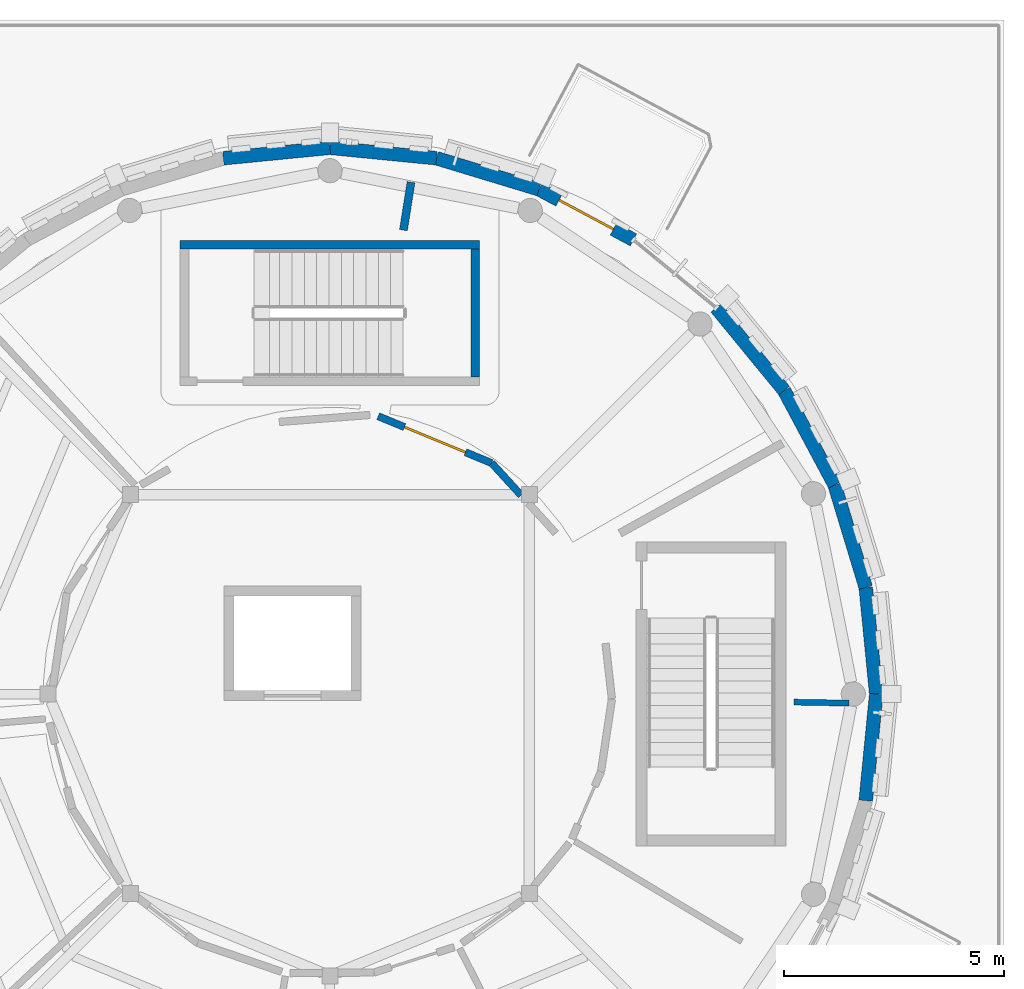
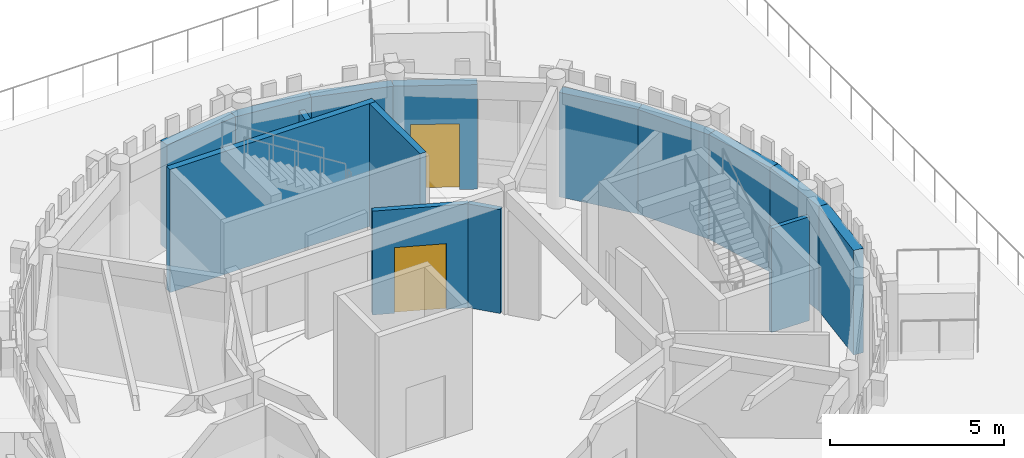
# One storey, part 56 of 94: 15 walls, 2 doors, 2 openings.
"""IFC4 building model written with IfcOpenShell, lengths in metres."""

import ifcopenshell
import ifcopenshell.guid

model = None  # the IFC model being written
_history = None  # IfcOwnerHistory: only IFC2X3 demands one
_inside = {}  # id of a spatial element -> (the spatial element, [elements in it])
_under = {}  # id of a project, library or spatial element -> (it, [spatial elements below it])
_declared = {}  # id of a project -> (the project, [libraries it declares])
_typed = {}  # id of a type object -> (the type object, [elements of that type])
_made_of = {}  # id of a material, layer set ... -> (it, [elements and type objects made of it])


def new_model(schema):
    """Start an empty IFC model of exactly this schema.

    Asked for "IFC4X3", IfcOpenShell would pick the latest addendum, in which some entities
    have other attributes; the version numbers below select the first issue.
    IFC2X3 requires an IfcOwnerHistory on every rooted entity: one is made here for all.
    """
    global model, _history
    if schema == "IFC4X3":
        model = ifcopenshell.file(schema_version=(4, 3, 0, 0))
    else:
        model = ifcopenshell.file(schema=schema)
    _inside.clear()
    _under.clear()
    _declared.clear()
    _typed.clear()
    _made_of.clear()
    _history = None
    if model.schema == "IFC2X3":
        org = make("IfcOrganization", Name="unknown")
        user = make(
            "IfcPersonAndOrganization",
            ThePerson=make("IfcPerson", FamilyName="unknown"),
            TheOrganization=org,
        )
        app = make(
            "IfcApplication",
            ApplicationDeveloper=org,
            Version="unknown",
            ApplicationFullName="unknown",
            ApplicationIdentifier="unknown",
        )
        _history = make(
            "IfcOwnerHistory",
            OwningUser=user,
            OwningApplication=app,
            ChangeAction="ADDED",
            CreationDate=0,
        )
    return model


def make(cls, **values):
    """One entity of the class cls with the attributes given. An attribute that is None is left unset."""
    return model.create_entity(
        cls, **{name: value for name, value in values.items() if value is not None}
    )


def rooted(cls, **values):
    """An entity with a GlobalId (a new one), such as an element, a storey or a relation."""
    return make(cls, GlobalId=ifcopenshell.guid.new(), OwnerHistory=_history, **values)


def si_unit(unit_type, name, prefix=None):
    """IfcSIUnit, for example si_unit("LENGTHUNIT", "METRE", prefix="MILLI")."""
    return make("IfcSIUnit", UnitType=unit_type, Prefix=prefix, Name=name)


def assignment(units):
    """IfcUnitAssignment: the units of a project."""
    return None if units is None else make("IfcUnitAssignment", Units=units)


def point(xyz):
    """IfcCartesianPoint."""
    return None if xyz is None else make("IfcCartesianPoint", Coordinates=xyz)


def direction(xyz):
    """IfcDirection."""
    return None if xyz is None else make("IfcDirection", DirectionRatios=xyz)


def frame(location, z_axis=None, x_axis=None):
    """IfcAxis2Placement3D, a coordinate frame: its origin and axes. An axis left out is left unset."""
    return make(
        "IfcAxis2Placement3D",
        Location=point(location),
        Axis=direction(z_axis),
        RefDirection=direction(x_axis),
    )


def frame_2d(location, x_axis=None):
    """IfcAxis2Placement2D, a coordinate frame in the plane: its origin and x axis."""
    return make(
        "IfcAxis2Placement2D", Location=point(location), RefDirection=direction(x_axis)
    )


def origin():
    """The frame at (0, 0, 0) with its axes left unset."""
    return frame((0.0, 0.0, 0.0))


def place(relative_to, where):
    """IfcLocalPlacement: puts the frame where relative to a parent placement (None: the world)."""
    return make(
        "IfcLocalPlacement", PlacementRelTo=relative_to, RelativePlacement=where
    )


def context(
    kind, dimensions, precision=None, world=None, true_north=None, identifier=None
):
    """IfcGeometricRepresentationContext, for example the 3D "Model" context."""
    return make(
        "IfcGeometricRepresentationContext",
        ContextIdentifier=identifier,
        ContextType=kind,
        CoordinateSpaceDimension=dimensions,
        Precision=precision,
        WorldCoordinateSystem=world,
        TrueNorth=true_north,
    )


def subcontext(parent, identifier, kind, view, scale=None):
    """IfcGeometricRepresentationSubContext, for example "Body" below "Model"."""
    return make(
        "IfcGeometricRepresentationSubContext",
        ContextIdentifier=identifier,
        ContextType=kind,
        ParentContext=parent,
        TargetScale=scale,
        TargetView=view,
    )


def project(units=None, contexts=None):
    """IfcProject with its units and contexts."""
    return rooted(
        "IfcProject",
        Name="project",
        RepresentationContexts=contexts,
        UnitsInContext=assignment(units),
    )


def spatial(cls, under=None, at=None, **own):
    """A site, building, storey or space (cls), placed at a placement, below another one or the project."""
    s = rooted(cls, ObjectPlacement=at, **own)
    if under is not None:
        _under.setdefault(under.id(), (under, []))[1].append(s)
    return s


def profile(cls, at=None, kind="AREA", **sizes):
    """A parametric profile (cls). Its sizes go by their IFC names, for example OverallWidth=200.0."""
    return make(cls, ProfileType=kind, Position=at, **sizes)


def rectangle(**sizes):
    """IfcRectangleProfileDef."""
    return profile("IfcRectangleProfileDef", **sizes)


def extrude(swept, where, along, depth):
    """IfcExtrudedAreaSolid: the profile swept, set in the frame where, extruded along a direction by depth."""
    return make(
        "IfcExtrudedAreaSolid",
        SweptArea=swept,
        Position=where,
        ExtrudedDirection=direction(along),
        Depth=depth,
    )


def shape(context_of_items, identifier, shape_type, items):
    """IfcShapeRepresentation: the items that make up one representation, for example the "Body"."""
    return make(
        "IfcShapeRepresentation",
        ContextOfItems=context_of_items,
        RepresentationIdentifier=identifier,
        RepresentationType=shape_type,
        Items=items,
    )


def material(Name=None, Category=None):
    """IfcMaterial."""
    return make("IfcMaterial", Name=Name, Category=Category)


def layer(
    of_material, thickness, ventilated=None, Name=None, Category=None, Priority=None
):
    """IfcMaterialLayer: one layer of a wall or slab, of a material (None: an air gap)."""
    return make(
        "IfcMaterialLayer",
        Material=of_material,
        LayerThickness=thickness,
        IsVentilated=ventilated,
        Name=Name,
        Category=Category,
        Priority=Priority,
    )


def layer_set(layers, Name=None):
    """IfcMaterialLayerSet."""
    return make("IfcMaterialLayerSet", MaterialLayers=layers, LayerSetName=Name)


def made_of(thing, what):
    """Note that an element or type object is made of a material, layer set ...; save() writes the relation."""
    if what is not None:
        _made_of.setdefault(what.id(), (what, []))[1].append(thing)
    return thing


def type_object(cls, material=None, **own):
    """A type object (cls), such as IfcWallType, which elements share."""
    return made_of(rooted(cls, **own), material)


def element(
    cls,
    number,
    at=None,
    inside=None,
    cuts=None,
    type_object=None,
    material=None,
    context=None,
    identifier="Body",
    shape_type=None,
    held_by="IfcProductDefinitionShape",
    body=None,
    shapes=None,
    **own,
):
    """One element of the class cls, such as IfcWall. Its Tag is "e" and its number.

    at: its placement. inside: the storey or other place that contains it. cuts: it is an
    opening in that element (IfcRelVoidsElement). A single representation is given by context,
    identifier, shape_type and body (its items); several are given by shapes. held_by: the class
    of the entity that holds the representations. save() writes the other relations.
    """
    e = rooted(cls, Tag="e%d" % number, ObjectPlacement=at, **own)
    if body is not None:
        shapes = [shape(context, identifier, shape_type, body)]
    if shapes is not None:
        e.Representation = make(held_by, Representations=shapes)
    if inside is not None:
        _inside.setdefault(inside.id(), (inside, []))[1].append(e)
    if cuts is not None:
        rooted(
            "IfcRelVoidsElement", RelatingBuildingElement=cuts, RelatedOpeningElement=e
        )
    if type_object is not None:
        _typed.setdefault(type_object.id(), (type_object, []))[1].append(e)
    return made_of(e, material)


def fill(opening, filler):
    """IfcRelFillsElement: the door or window that sits in an opening."""
    return rooted(
        "IfcRelFillsElement",
        RelatingOpeningElement=opening,
        RelatedBuildingElement=filler,
    )


def aggregate(whole, parts):
    """IfcRelAggregates: a whole, such as a stair, and the parts it consists of."""
    return rooted("IfcRelAggregates", RelatingObject=whole, RelatedObjects=parts)


def save(model, path):
    """Write the relations noted so far, then the file.

    IfcRelAggregates (storeys below a building ...), IfcRelContainedInSpatialStructure (elements
    in a storey), IfcRelDefinesByType, IfcRelAssociatesMaterial and IfcRelDeclares: one each for
    every whole, place, type object, material and project.
    """
    for whole, parts in _under.values():
        aggregate(whole, parts)
    for where, things in _inside.values():
        rooted(
            "IfcRelContainedInSpatialStructure",
            RelatedElements=things,
            RelatingStructure=where,
        )
    for kind, things in _typed.values():
        rooted("IfcRelDefinesByType", RelatedObjects=things, RelatingType=kind)
    for what, things in _made_of.values():
        rooted("IfcRelAssociatesMaterial", RelatedObjects=things, RelatingMaterial=what)
    for by, libraries in _declared.values():
        rooted("IfcRelDeclares", RelatingContext=by, RelatedDefinitions=libraries)
    model.write(path)


model = new_model("IFC4")

# Units and contexts
model_context = context("Model", 3, precision=1e-05, world=origin(), true_north=direction((0.0, 1.0)))
body_context = subcontext(model_context, "Body", "Model", "MODEL_VIEW")
ifc_project = project(units=[si_unit("LENGTHUNIT", "METRE"), si_unit("AREAUNIT", "SQUARE_METRE"), si_unit("VOLUMEUNIT", "CUBIC_METRE"), si_unit("PLANEANGLEUNIT", "RADIAN"), si_unit("MASSUNIT", "GRAM", prefix="KILO")], contexts=[model_context])

# Site, building, storey
site_placement = place(None, origin())
site = spatial("IfcSite", under=ifc_project, at=site_placement, CompositionType="ELEMENT")
building_placement = place(site_placement, origin())
building = spatial("IfcBuilding", under=site, at=building_placement, Name="Aldenvaro Health Centre", CompositionType="ELEMENT")
storey_placement = place(building_placement, origin())
storey = spatial("IfcBuildingStorey", under=building, at=storey_placement, Name="L00", CompositionType="ELEMENT", Elevation=0.0)

# Wall
ifc_material_1 = material(Name="Gypsum Stud Acoustic Assembly")
ifc_layer_1 = layer(ifc_material_1, 0.1650390625, Name="Gypsum Stud Acoustic Assembly")
ifc_layer_set_1 = layer_set([ifc_layer_1], Name="Gypsum Stud Acoustic Assembly")
wall_type_1 = type_object("IfcWallType", Name="WL-COR-165", PredefinedType="PARTITIONING", material=ifc_layer_set_1)
wall_1_placement = place(storey_placement, frame((158.837890625, 104.012939453125, 0.0), z_axis=(0.0, 0.0, 1.0), x_axis=(-0.674538621486, 0.738239560118, 0.0)))
element("IfcWall", 1, at=wall_1_placement, inside=storey, type_object=wall_type_1, Name="D2 L00 corridor wall 01.2", PredefinedType="PARTITIONING", context=body_context, shape_type="SweptSolid", body=[
    extrude(rectangle(XDim=0.98876953125, YDim=0.1650390625, at=frame_2d((0.494384765625, 0.0))), origin(), (0.0, 0.0, 1.0), 3.634033203125),
])

# Wall, opening, door
wall_2_placement = place(storey_placement, frame((158.1708984375, 104.742919921875, 0.0), z_axis=(0.0, 0.0, 1.0), x_axis=(-0.924385702607, 0.381459136494, 0.0)))
wall_2 = element("IfcWall", 2, at=wall_2_placement, inside=storey, type_object=wall_type_1, Name="D2 L00 corridor wall 01.3", PredefinedType="PARTITIONING", context=body_context, shape_type="SweptSolid", body=[
    extrude(rectangle(XDim=2.78662109375, YDim=0.1650390625, at=frame_2d((1.393310546875, 0.0))), origin(), (0.0, 0.0, 1.0), 3.634033203125),
])
opening_1_placement = place(wall_2_placement, frame((0.64306640625, 0.0, 0.0)))
opening_1 = element("IfcOpeningElement", 3, at=opening_1_placement, cuts=wall_2, Name="Opening SD-01", PredefinedType="OPENING", context=body_context, shape_type="SweptSolid", body=[
    extrude(rectangle(XDim=1.5, YDim=2.300048828125, at=frame_2d((0.75, 1.14990234375))), frame((0.0, 0.092529296875, 0.0), z_axis=(0.0, -1.0, 0.0), x_axis=(1.0, 0.0, 0.0)), (0.0, 0.0, 1.0), 0.18505859375),
])
ifc_material_2 = material(Name="Hygienic Hermetic Theatre Door")
door_type_1 = type_object("IfcDoorType", Name="DR-SRG-150", OperationType="NOTDEFINED", PredefinedType="DOOR", material=ifc_material_2)
door_1_placement = place(opening_1_placement, origin())
door_1 = element("IfcDoor", 4, at=door_1_placement, inside=storey, type_object=door_type_1, Name="Pre-Operative Assessment Bay 01 Door", OperationType="SINGLE_SWING_RIGHT", OverallHeight=2.300048828125, OverallWidth=1.5, PredefinedType="DOOR", context=body_context, shape_type="SweptSolid", body=[
    extrude(rectangle(XDim=1.5, YDim=2.300048828125, at=frame_2d((0.75, 1.14990234375))), frame((0.0, 0.02490234375, 0.0), z_axis=(0.0, -1.0, 0.0), x_axis=(1.0, 0.0, 0.0)), (0.0, 0.0, 1.0), 0.050048828125),
])
fill(opening_1, door_1)

# Walls
ifc_material_3 = material(Name="Concrete f'c 35 MPa", Category="concrete")
ifc_layer_2 = layer(ifc_material_3, 0.31005859375, Name="Concrete f'c 35 MPa", Category="concrete")
ifc_layer_set_2 = layer_set([ifc_layer_2], Name="Concrete f'c 35 MPa")
wall_type_2 = type_object("IfcWallType", Name="WL-EXT-310", PredefinedType="SOLIDWALL", material=ifc_layer_set_2)
for number, where, z_axis, x_axis, name in (
    (5, (166.89990234375, 99.5, 0.0), (0.0, 0.0, 1.0), (-0.097832820839, -0.995202863323, 0.0), "D2 L00 exterior wall 01"),
    (6, (152.0810546875, 111.662109375, 0.0), (0.0, 0.0, 1.0), (0.995202863323, 0.097832820839, 0.0), "D2 L00 exterior wall 24"),
    (7, (154.5, 111.89990234375, 0.0), (0.0, 0.0, 1.0), (0.995202863323, -0.097832820839, 0.0), "D2 L00 exterior wall 25"),
):
    element("IfcWall", number, at=place(storey_placement, frame(where, z_axis=z_axis, x_axis=x_axis)), inside=storey, type_object=wall_type_2, Name=name, PredefinedType="SOLIDWALL", context=body_context, shape_type="SweptSolid", body=[
        extrude(rectangle(XDim=2.4306640625, YDim=0.31005859375, at=frame_2d((1.21533203125, 0.0))), origin(), (0.0, 0.0, 1.0), 3.658935546875),
    ])
wall_3_placement = place(storey_placement, frame((156.9189453125, 111.662109375, 0.0), z_axis=(0.0, 0.0, 1.0), x_axis=(0.956892539407, -0.290442193951, 0.0)))
element("IfcWall", 8, at=wall_3_placement, inside=storey, type_object=wall_type_2, Name="D2 L00 exterior wall 26", PredefinedType="SOLIDWALL", context=body_context, shape_type="SweptSolid", body=[
    extrude(rectangle(XDim=2.430908203125, YDim=0.31005859375, at=frame_2d((1.21533203125, 0.0))), origin(), (0.0, 0.0, 1.0), 3.658935546875),
])

# Wall, opening, door
wall_4_placement = place(storey_placement, frame((159.2451171875, 110.9560546875, 0.0), z_axis=(0.0, 0.0, 1.0), x_axis=(0.881902152415, -0.471432490996, 0.0)))
wall_4 = element("IfcWall", 9, at=wall_4_placement, inside=storey, type_object=wall_type_2, Name="D2 L00 exterior wall 27", PredefinedType="SOLIDWALL", context=body_context, shape_type="SweptSolid", body=[
    extrude(rectangle(XDim=2.430908203125, YDim=0.31005859375, at=frame_2d((1.21533203125, 0.0))), origin(), (0.0, 0.0, 1.0), 3.658935546875),
])
opening_2_placement = place(wall_4_placement, frame((0.51611328125, 0.0, 0.0)))
opening_2 = element("IfcOpeningElement", 10, at=opening_2_placement, cuts=wall_4, Name="Opening ED-05", PredefinedType="OPENING", context=body_context, shape_type="SweptSolid", body=[
    extrude(rectangle(XDim=1.39990234375, YDim=2.300048828125, at=frame_2d((0.699951171875, 1.14990234375))), frame((0.0, 0.1650390625, 0.0), z_axis=(0.0, -1.0, 0.0), x_axis=(1.0, 0.0, 0.0)), (0.0, 0.0, 1.0), 0.330078125),
])
ifc_material_4 = material(Name="Thermally Broken Glazed Aluminium", Category="aluminium")
door_type_2 = type_object("IfcDoorType", Name="DR-GDN-140", OperationType="NOTDEFINED", PredefinedType="DOOR", material=ifc_material_4)
door_2_placement = place(opening_2_placement, origin())
door_2 = element("IfcDoor", 11, at=door_2_placement, inside=storey, type_object=door_type_2, Name="Pedestrian Final Exit Door 11", OperationType="SINGLE_SWING_LEFT", OverallHeight=2.300048828125, OverallWidth=1.39990234375, PredefinedType="DOOR", context=body_context, shape_type="SweptSolid", body=[
    extrude(rectangle(XDim=1.39990234375, YDim=2.300048828125, at=frame_2d((0.699951171875, 1.14990234375))), frame((0.0, 0.02490234375, 0.0), z_axis=(0.0, -1.0, 0.0), x_axis=(1.0, 0.0, 0.0)), (0.0, 0.0, 1.0), 0.050048828125),
])
fill(opening_2, door_2)

# Walls
for number, where, z_axis, x_axis, name in (
    (12, (163.26806640625, 108.26806640625, 0.0), (0.0, 0.0, 1.0), (0.634347392822, -0.773048113134, 0.0), "D2 L00 exterior wall 29"),
    (13, (164.81005859375, 106.388916015625, 0.0), (0.0, 0.0, 1.0), (0.471432490996, -0.881902152415, 0.0), "D2 L00 exterior wall 30"),
    (14, (165.9560546875, 104.2451171875, 0.0), (0.0, 0.0, 1.0), (0.290442193951, -0.956892539407, 0.0), "D2 L00 exterior wall 31"),
):
    element("IfcWall", number, at=place(storey_placement, frame(where, z_axis=z_axis, x_axis=x_axis)), inside=storey, type_object=wall_type_2, Name=name, PredefinedType="SOLIDWALL", context=body_context, shape_type="SweptSolid", body=[
        extrude(rectangle(XDim=2.430908203125, YDim=0.31005859375, at=frame_2d((1.21533203125, 0.0))), origin(), (0.0, 0.0, 1.0), 3.658935546875),
    ])
wall_5_placement = place(storey_placement, frame((166.662109375, 101.9189453125, 0.0), z_axis=(0.0, 0.0, 1.0), x_axis=(0.097832820839, -0.995202863323, 0.0)))
element("IfcWall", 15, at=wall_5_placement, inside=storey, type_object=wall_type_2, Name="D2 L00 exterior wall 32", PredefinedType="SOLIDWALL", context=body_context, shape_type="SweptSolid", body=[
    extrude(rectangle(XDim=2.4306640625, YDim=0.31005859375, at=frame_2d((1.21533203125, 0.0))), origin(), (0.0, 0.0, 1.0), 3.658935546875),
])
ifc_material_5 = material(Name="Concrete f'c 40 MPa", Category="concrete")
ifc_layer_3 = layer(ifc_material_5, 0.199951171875, Name="Concrete f'c 40 MPa", Category="concrete")
ifc_layer_set_3 = layer_set([ifc_layer_3], Name="Concrete f'c 40 MPa")
wall_type_3 = type_object("IfcWallType", Name="WL-SHAFT-200", PredefinedType="SHEAR", material=ifc_layer_set_3)
wall_6_placement = place(storey_placement, frame((151.10009765625, 109.699951171875, 0.0), z_axis=(0.0, 0.0, 1.0), x_axis=(1.0, 0.0, 0.0)))
element("IfcWall", 16, at=wall_6_placement, inside=storey, type_object=wall_type_3, Name="ST-04 L00 far core wall", PredefinedType="SHEAR", context=body_context, shape_type="SweptSolid", body=[
    extrude(rectangle(XDim=6.7998046875, YDim=0.199951171875, at=frame_2d((3.39990234375, 0.0))), origin(), (0.0, 0.0, 1.0), 4.304931640625),
])
wall_7_placement = place(storey_placement, frame((157.800048828125, 106.699951171875, 0.0), z_axis=(0.0, 0.0, 1.0), x_axis=(0.0, 1.0, 0.0)))
element("IfcWall", 17, at=wall_7_placement, inside=storey, type_object=wall_type_3, Name="ST-04 L00 side core wall R", PredefinedType="SHEAR", context=body_context, shape_type="SweptSolid", body=[
    extrude(rectangle(XDim=2.900146484375, YDim=0.199951171875, at=frame_2d((1.4501953125, 0.0))), origin(), (0.0, 0.0, 1.0), 4.304931640625),
])
ifc_material_6 = material(Name="Hygienic Clad Acoustic Partition")
ifc_layer_4 = layer(ifc_material_6, 0.179931640625, Name="Hygienic Clad Acoustic Partition")
ifc_layer_set_4 = layer_set([ifc_layer_4], Name="Hygienic Clad Acoustic Partition")
wall_type_4 = type_object("IfcWallType", Name="WL-SRG-180", PredefinedType="PARTITIONING", material=ifc_layer_set_4)
wall_8_placement = place(storey_placement, frame((156.16796875, 110.030029296875, 0.0), z_axis=(0.0, 0.0, 1.0), x_axis=(0.15626989372, 0.987714392077, 0.0)))
element("IfcWall", 18, at=wall_8_placement, inside=storey, type_object=wall_type_4, Name="D2 L00 clinical partition 2.2", PredefinedType="PARTITIONING", context=body_context, shape_type="SweptSolid", body=[
    extrude(rectangle(XDim=1.101318359375, YDim=0.179931640625, at=frame_2d((0.55078125, 0.0))), origin(), (0.0, 0.0, 1.0), 3.634033203125),
])
ifc_material_7 = material(Name="Moisture-Resistant Plumbing Stud Wall")
ifc_layer_5 = layer(ifc_material_7, 0.135009765625, Name="Moisture-Resistant Plumbing Stud Wall")
ifc_layer_set_5 = layer_set([ifc_layer_5], Name="Moisture-Resistant Plumbing Stud Wall")
wall_type_5 = type_object("IfcWallType", Name="WL-WET-135", PredefinedType="PLUMBINGWALL", material=ifc_layer_set_5)
wall_9_placement = place(storey_placement, frame((165.030029296875, 99.31591796875, 0.0), z_axis=(0.0, 0.0, 1.0), x_axis=(0.999845056848, -0.01760290593, 0.0)))
element("IfcWall", 19, at=wall_9_placement, inside=storey, type_object=wall_type_5, Name="D2 L00 clinical partition 9.2", PredefinedType="PLUMBINGWALL", context=body_context, shape_type="SweptSolid", body=[
    extrude(rectangle(XDim=1.248291015625, YDim=0.135009765625, at=frame_2d((0.6240234375, 0.0))), origin(), (0.0, 0.0, 1.0), 3.634033203125),
])

save(model, "model.ifc")
